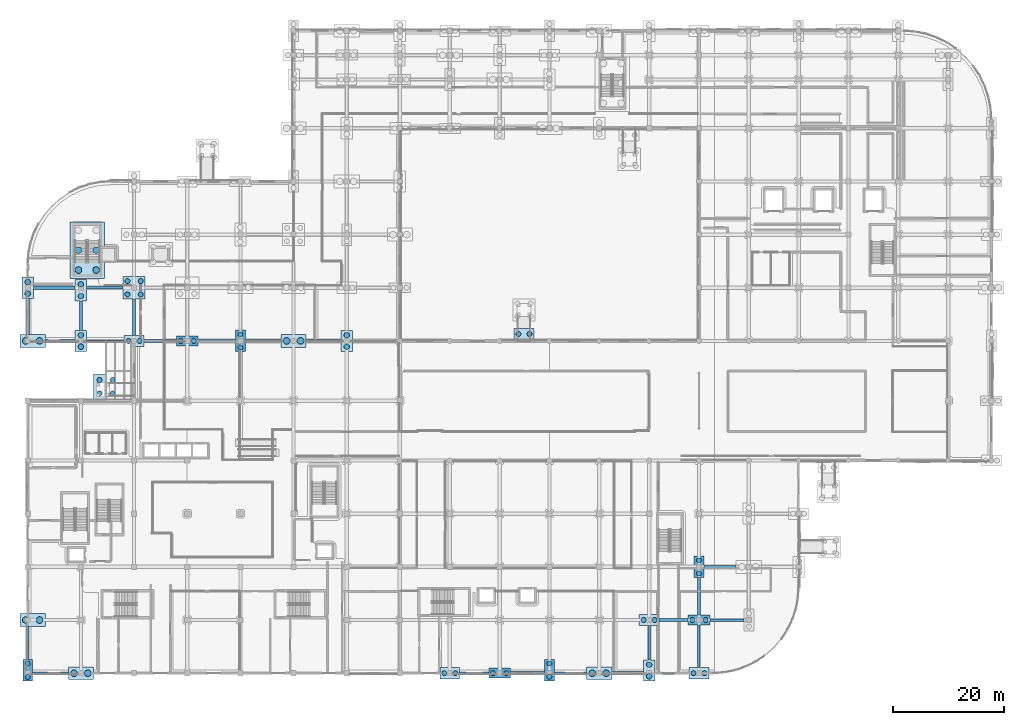
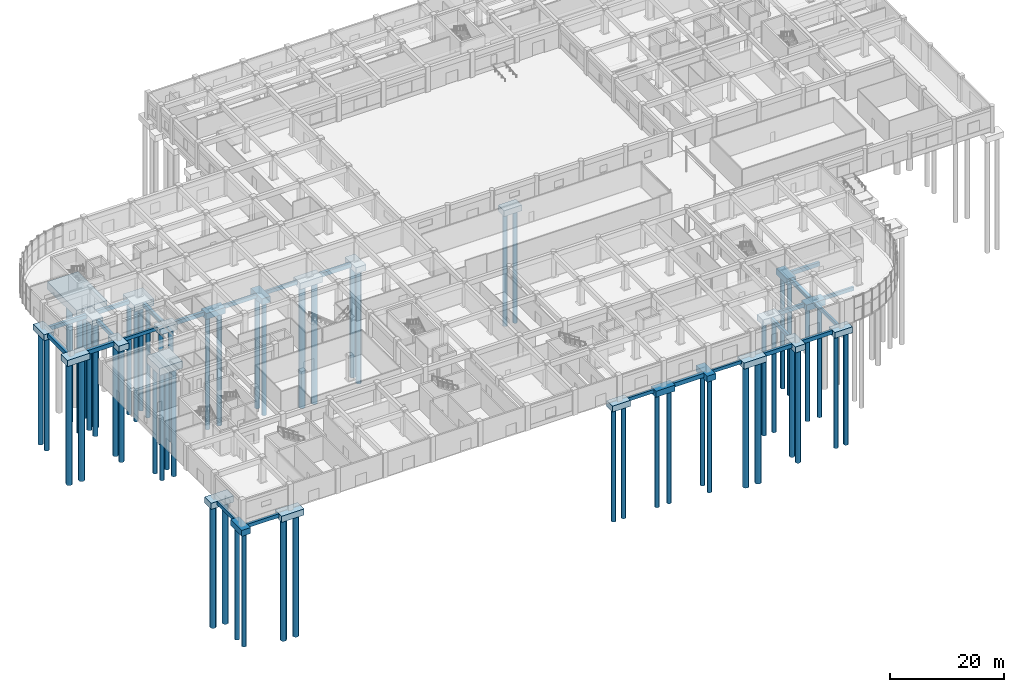
# One storey, part 1 of 74: 56 piles, 49 footings.
"""IFC4 building model written with IfcOpenShell, lengths in metres."""

import ifcopenshell
import ifcopenshell.guid

model = None  # the IFC model being written
_history = None  # IfcOwnerHistory: only IFC2X3 demands one
_inside = {}  # id of a spatial element -> (the spatial element, [elements in it])
_under = {}  # id of a project, library or spatial element -> (it, [spatial elements below it])
_declared = {}  # id of a project -> (the project, [libraries it declares])
_typed = {}  # id of a type object -> (the type object, [elements of that type])
_made_of = {}  # id of a material, layer set ... -> (it, [elements and type objects made of it])


def new_model(schema):
    """Start an empty IFC model of exactly this schema.

    Asked for "IFC4X3", IfcOpenShell would pick the latest addendum, in which some entities
    have other attributes; the version numbers below select the first issue.
    IFC2X3 requires an IfcOwnerHistory on every rooted entity: one is made here for all.
    """
    global model, _history
    if schema == "IFC4X3":
        model = ifcopenshell.file(schema_version=(4, 3, 0, 0))
    else:
        model = ifcopenshell.file(schema=schema)
    _inside.clear()
    _under.clear()
    _declared.clear()
    _typed.clear()
    _made_of.clear()
    _history = None
    if model.schema == "IFC2X3":
        org = make("IfcOrganization", Name="unknown")
        user = make(
            "IfcPersonAndOrganization",
            ThePerson=make("IfcPerson", FamilyName="unknown"),
            TheOrganization=org,
        )
        app = make(
            "IfcApplication",
            ApplicationDeveloper=org,
            Version="unknown",
            ApplicationFullName="unknown",
            ApplicationIdentifier="unknown",
        )
        _history = make(
            "IfcOwnerHistory",
            OwningUser=user,
            OwningApplication=app,
            ChangeAction="ADDED",
            CreationDate=0,
        )
    return model


def make(cls, **values):
    """One entity of the class cls with the attributes given. An attribute that is None is left unset."""
    return model.create_entity(
        cls, **{name: value for name, value in values.items() if value is not None}
    )


def rooted(cls, **values):
    """An entity with a GlobalId (a new one), such as an element, a storey or a relation."""
    return make(cls, GlobalId=ifcopenshell.guid.new(), OwnerHistory=_history, **values)


def si_unit(unit_type, name, prefix=None):
    """IfcSIUnit, for example si_unit("LENGTHUNIT", "METRE", prefix="MILLI")."""
    return make("IfcSIUnit", UnitType=unit_type, Prefix=prefix, Name=name)


def assignment(units):
    """IfcUnitAssignment: the units of a project."""
    return None if units is None else make("IfcUnitAssignment", Units=units)


def point(xyz):
    """IfcCartesianPoint."""
    return None if xyz is None else make("IfcCartesianPoint", Coordinates=xyz)


def direction(xyz):
    """IfcDirection."""
    return None if xyz is None else make("IfcDirection", DirectionRatios=xyz)


def frame(location, z_axis=None, x_axis=None):
    """IfcAxis2Placement3D, a coordinate frame: its origin and axes. An axis left out is left unset."""
    return make(
        "IfcAxis2Placement3D",
        Location=point(location),
        Axis=direction(z_axis),
        RefDirection=direction(x_axis),
    )


def frame_2d(location, x_axis=None):
    """IfcAxis2Placement2D, a coordinate frame in the plane: its origin and x axis."""
    return make(
        "IfcAxis2Placement2D", Location=point(location), RefDirection=direction(x_axis)
    )


def origin():
    """The frame at (0, 0, 0) with its axes left unset."""
    return frame((0.0, 0.0, 0.0))


def origin_2d():
    """The frame at (0, 0) in the plane with its x axis left unset."""
    return frame_2d((0.0, 0.0))


def place(relative_to, where):
    """IfcLocalPlacement: puts the frame where relative to a parent placement (None: the world)."""
    return make(
        "IfcLocalPlacement", PlacementRelTo=relative_to, RelativePlacement=where
    )


def context(
    kind, dimensions, precision=None, world=None, true_north=None, identifier=None
):
    """IfcGeometricRepresentationContext, for example the 3D "Model" context."""
    return make(
        "IfcGeometricRepresentationContext",
        ContextIdentifier=identifier,
        ContextType=kind,
        CoordinateSpaceDimension=dimensions,
        Precision=precision,
        WorldCoordinateSystem=world,
        TrueNorth=true_north,
    )


def subcontext(parent, identifier, kind, view, scale=None):
    """IfcGeometricRepresentationSubContext, for example "Body" below "Model"."""
    return make(
        "IfcGeometricRepresentationSubContext",
        ContextIdentifier=identifier,
        ContextType=kind,
        ParentContext=parent,
        TargetScale=scale,
        TargetView=view,
    )


def project(units=None, contexts=None):
    """IfcProject with its units and contexts."""
    return rooted(
        "IfcProject",
        Name="project",
        RepresentationContexts=contexts,
        UnitsInContext=assignment(units),
    )


def spatial(cls, under=None, at=None, **own):
    """A site, building, storey or space (cls), placed at a placement, below another one or the project."""
    s = rooted(cls, ObjectPlacement=at, **own)
    if under is not None:
        _under.setdefault(under.id(), (under, []))[1].append(s)
    return s


def profile(cls, at=None, kind="AREA", **sizes):
    """A parametric profile (cls). Its sizes go by their IFC names, for example OverallWidth=200.0."""
    return make(cls, ProfileType=kind, Position=at, **sizes)


def rectangle(**sizes):
    """IfcRectangleProfileDef."""
    return profile("IfcRectangleProfileDef", **sizes)


def circle(**sizes):
    """IfcCircleProfileDef."""
    return profile("IfcCircleProfileDef", **sizes)


def extrude(swept, where, along, depth):
    """IfcExtrudedAreaSolid: the profile swept, set in the frame where, extruded along a direction by depth."""
    return make(
        "IfcExtrudedAreaSolid",
        SweptArea=swept,
        Position=where,
        ExtrudedDirection=direction(along),
        Depth=depth,
    )


def shape(context_of_items, identifier, shape_type, items):
    """IfcShapeRepresentation: the items that make up one representation, for example the "Body"."""
    return make(
        "IfcShapeRepresentation",
        ContextOfItems=context_of_items,
        RepresentationIdentifier=identifier,
        RepresentationType=shape_type,
        Items=items,
    )


def material(Name=None, Category=None):
    """IfcMaterial."""
    return make("IfcMaterial", Name=Name, Category=Category)


def material_profile(
    of_material, cross_section, Name=None, Category=None, Priority=None
):
    """IfcMaterialProfile: a cross section and its material."""
    return make(
        "IfcMaterialProfile",
        Name=Name,
        Material=of_material,
        Profile=cross_section,
        Priority=Priority,
        Category=Category,
    )


def profile_set(profiles, Name=None, composite=None):
    """IfcMaterialProfileSet."""
    return make(
        "IfcMaterialProfileSet",
        Name=Name,
        MaterialProfiles=profiles,
        CompositeProfile=composite,
    )


def made_of(thing, what):
    """Note that an element or type object is made of a material, layer set ...; save() writes the relation."""
    if what is not None:
        _made_of.setdefault(what.id(), (what, []))[1].append(thing)
    return thing


def type_object(cls, material=None, **own):
    """A type object (cls), such as IfcWallType, which elements share."""
    return made_of(rooted(cls, **own), material)


def element(
    cls,
    number,
    at=None,
    inside=None,
    cuts=None,
    type_object=None,
    material=None,
    context=None,
    identifier="Body",
    shape_type=None,
    held_by="IfcProductDefinitionShape",
    body=None,
    shapes=None,
    **own,
):
    """One element of the class cls, such as IfcWall. Its Tag is "e" and its number.

    at: its placement. inside: the storey or other place that contains it. cuts: it is an
    opening in that element (IfcRelVoidsElement). A single representation is given by context,
    identifier, shape_type and body (its items); several are given by shapes. held_by: the class
    of the entity that holds the representations. save() writes the other relations.
    """
    e = rooted(cls, Tag="e%d" % number, ObjectPlacement=at, **own)
    if body is not None:
        shapes = [shape(context, identifier, shape_type, body)]
    if shapes is not None:
        e.Representation = make(held_by, Representations=shapes)
    if inside is not None:
        _inside.setdefault(inside.id(), (inside, []))[1].append(e)
    if cuts is not None:
        rooted(
            "IfcRelVoidsElement", RelatingBuildingElement=cuts, RelatedOpeningElement=e
        )
    if type_object is not None:
        _typed.setdefault(type_object.id(), (type_object, []))[1].append(e)
    return made_of(e, material)


def aggregate(whole, parts):
    """IfcRelAggregates: a whole, such as a stair, and the parts it consists of."""
    return rooted("IfcRelAggregates", RelatingObject=whole, RelatedObjects=parts)


def save(model, path):
    """Write the relations noted so far, then the file.

    IfcRelAggregates (storeys below a building ...), IfcRelContainedInSpatialStructure (elements
    in a storey), IfcRelDefinesByType, IfcRelAssociatesMaterial and IfcRelDeclares: one each for
    every whole, place, type object, material and project.
    """
    for whole, parts in _under.values():
        aggregate(whole, parts)
    for where, things in _inside.values():
        rooted(
            "IfcRelContainedInSpatialStructure",
            RelatedElements=things,
            RelatingStructure=where,
        )
    for kind, things in _typed.values():
        rooted("IfcRelDefinesByType", RelatedObjects=things, RelatingType=kind)
    for what, things in _made_of.values():
        rooted("IfcRelAssociatesMaterial", RelatedObjects=things, RelatingMaterial=what)
    for by, libraries in _declared.values():
        rooted("IfcRelDeclares", RelatingContext=by, RelatedDefinitions=libraries)
    model.write(path)


model = new_model("IFC4")

# Units and contexts
model_context = context("Model", 3, precision=1e-05, world=origin(), true_north=direction((0.0, 1.0)))
body_context = subcontext(model_context, "Body", "Model", "MODEL_VIEW")
ifc_project = project(units=[si_unit("LENGTHUNIT", "METRE"), si_unit("AREAUNIT", "SQUARE_METRE"), si_unit("VOLUMEUNIT", "CUBIC_METRE"), si_unit("PLANEANGLEUNIT", "RADIAN"), si_unit("MASSUNIT", "GRAM", prefix="KILO")], contexts=[model_context])

# Site, building, storey
site_placement = place(None, origin())
site = spatial("IfcSite", under=ifc_project, at=site_placement, CompositionType="ELEMENT")
building_placement = place(site_placement, origin())
building = spatial("IfcBuilding", under=site, at=building_placement, Name="Cendralis Terraced Arcade", CompositionType="ELEMENT")
storey_placement = place(building_placement, origin())
storey = spatial("IfcBuildingStorey", under=building, at=storey_placement, Name="L00", CompositionType="ELEMENT", Elevation=0.0)

# Footings
ifc_material = material(Name="Concrete f'c 35 MPa", Category="concrete")
ifc_material_profile_1 = material_profile(ifc_material, rectangle(XDim=0.39990234375, YDim=0.699951171875, at=origin_2d()), Name="FB-400x700", Category="LoadBearing")
ifc_profile_set_1 = profile_set([ifc_material_profile_1], Name="Concrete f'c 35 MPa")
footing_type_1 = type_object("IfcFootingType", Name="FB-400x700", PredefinedType="FOOTING_BEAM", material=ifc_profile_set_1)
footing_1_placement = place(storey_placement, frame((95.10009765625, 0.0, -0.64990234375), z_axis=(1.0, 0.0, 0.0), x_axis=(0.0, 1.0, 0.0)))
element("IfcFooting", 1, at=footing_1_placement, inside=storey, type_object=footing_type_1, Name="Reinforced Concrete Foundation Tie Beam FB-X-0009", PredefinedType="FOOTING_BEAM", context=body_context, shape_type="SweptSolid", body=[
    extrude(rectangle(XDim=0.39990234375, YDim=0.699951171875, at=origin_2d()), origin(), (0.0, 0.0, 1.0), 5.81982421875),
])
footing_2_placement = place(storey_placement, frame((10.625, 60.0, -0.64990234375), z_axis=(1.0, 0.0, 0.0), x_axis=(0.0, 1.0, 0.0)))
element("IfcFooting", 2, at=footing_2_placement, inside=storey, type_object=footing_type_1, Name="Reinforced Concrete Foundation Tie Beam FB-X-0064", PredefinedType="FOOTING_BEAM", context=body_context, shape_type="SweptSolid", body=[
    extrude(rectangle(XDim=0.39990234375, YDim=0.699951171875, at=origin_2d()), origin(), (0.0, 0.0, 1.0), 6.77490234375),
])
footing_3_placement = place(storey_placement, frame((0.0, 2.5, -0.64990234375), z_axis=(0.0, 1.0, 0.0), x_axis=(-1.0, 0.0, 0.0)))
element("IfcFooting", 3, at=footing_3_placement, inside=storey, type_object=footing_type_1, Name="Reinforced Concrete Foundation Tie Beam FB-Y-0154", PredefinedType="FOOTING_BEAM", context=body_context, shape_type="SweptSolid", body=[
    extrude(rectangle(XDim=0.39990234375, YDim=0.699951171875, at=origin_2d()), origin(), (0.0, 0.0, 1.0), 5.949951171875),
])
ifc_material_profile_2 = material_profile(ifc_material, rectangle(XDim=0.449951171875, YDim=0.75, at=origin_2d()), Name="FB-450x750", Category="LoadBearing")
ifc_profile_set_2 = profile_set([ifc_material_profile_2], Name="Concrete f'c 35 MPa")
footing_type_2 = type_object("IfcFootingType", Name="FB-450x750", PredefinedType="FOOTING_BEAM", material=ifc_profile_set_2)
footing_4_placement = place(storey_placement, frame((78.0, 0.0, -0.675048828125), z_axis=(1.0, 0.0, 0.0), x_axis=(0.0, 1.0, 0.0)))
element("IfcFooting", 4, at=footing_4_placement, inside=storey, type_object=footing_type_2, Name="Reinforced Concrete Foundation Tie Beam FB-X-0007", PredefinedType="FOOTING_BEAM", context=body_context, shape_type="SweptSolid", body=[
    extrude(rectangle(XDim=0.449951171875, YDim=0.75, at=origin_2d()), origin(), (0.0, 0.0, 1.0), 5.25),
])
footing_5_placement = place(storey_placement, frame((123.14990234375, 9.60009765625, -0.675048828125), z_axis=(1.0, 0.0, 0.0), x_axis=(0.0, 1.0, 0.0)))
element("IfcFooting", 5, at=footing_5_placement, inside=storey, type_object=footing_type_2, Name="Reinforced Concrete Foundation Tie Beam FB-X-0017", PredefinedType="FOOTING_BEAM", context=body_context, shape_type="SweptSolid", body=[
    extrude(rectangle(XDim=0.449951171875, YDim=0.75, at=origin_2d()), origin(), (0.0, 0.0, 1.0), 6.150146484375),
])
footing_6_placement = place(storey_placement, frame((39.300048828125, 60.0, -0.675048828125), z_axis=(1.0, 0.0, 0.0), x_axis=(0.0, 1.0, 0.0)))
element("IfcFooting", 6, at=footing_6_placement, inside=storey, type_object=footing_type_2, Name="Reinforced Concrete Foundation Tie Beam FB-X-0067", PredefinedType="FOOTING_BEAM", context=body_context, shape_type="SweptSolid", body=[
    extrude(rectangle(XDim=0.449951171875, YDim=0.75, at=origin_2d()), origin(), (0.0, 0.0, 1.0), 6.419921875),
])
footing_7_placement = place(storey_placement, frame((112.199951171875, 2.39990234375, -0.675048828125), z_axis=(0.0, 1.0, 0.0), x_axis=(-1.0, 0.0, 0.0)))
element("IfcFooting", 7, at=footing_7_placement, inside=storey, type_object=footing_type_2, Name="Reinforced Concrete Foundation Tie Beam FB-Y-0232", PredefinedType="FOOTING_BEAM", context=body_context, shape_type="SweptSolid", body=[
    extrude(rectangle(XDim=0.449951171875, YDim=0.75, at=origin_2d()), origin(), (0.0, 0.0, 1.0), 6.175048828125),
])
footing_8_placement = place(storey_placement, frame((121.199951171875, 1.02490234375, -0.675048828125), z_axis=(0.0, 1.0, 0.0), x_axis=(-1.0, 0.0, 0.0)))
element("IfcFooting", 8, at=footing_8_placement, inside=storey, type_object=footing_type_2, Name="Reinforced Concrete Foundation Tie Beam FB-Y-0237", PredefinedType="FOOTING_BEAM", context=body_context, shape_type="SweptSolid", body=[
    extrude(rectangle(XDim=0.449951171875, YDim=0.75, at=origin_2d()), origin(), (0.0, 0.0, 1.0), 7.675048828125),
])
ifc_material_profile_3 = material_profile(ifc_material, rectangle(XDim=0.5, YDim=0.800048828125, at=origin_2d()), Name="FB-500x800", Category="LoadBearing")
ifc_profile_set_3 = profile_set([ifc_material_profile_3], Name="Concrete f'c 35 MPa")
footing_type_3 = type_object("IfcFootingType", Name="FB-500x800", PredefinedType="FOOTING_BEAM", material=ifc_profile_set_3)
footing_9_placement = place(storey_placement, frame((0.89990234375, 0.0, -0.699951171875), z_axis=(1.0, 0.0, 0.0), x_axis=(0.0, 1.0, 0.0)))
element("IfcFooting", 9, at=footing_9_placement, inside=storey, type_object=footing_type_3, Name="Reinforced Concrete Foundation Tie Beam FB-X-0001", PredefinedType="FOOTING_BEAM", context=body_context, shape_type="SweptSolid", body=[
    extrude(rectangle(XDim=0.5, YDim=0.800048828125, at=origin_2d()), origin(), (0.0, 0.0, 1.0), 6.420166015625),
])
footing_10_placement = place(storey_placement, frame((113.22509765625, 0.0, -0.699951171875), z_axis=(1.0, 0.0, 0.0), x_axis=(0.0, 1.0, 0.0)))
element("IfcFooting", 10, at=footing_10_placement, inside=storey, type_object=footing_type_3, Name="Reinforced Concrete Foundation Tie Beam FB-X-0011", PredefinedType="FOOTING_BEAM", context=body_context, shape_type="SweptSolid", body=[
    extrude(rectangle(XDim=0.5, YDim=0.800048828125, at=origin_2d()), origin(), (0.0, 0.0, 1.0), 6.1748046875),
])
footing_11_placement = place(storey_placement, frame((114.0, 9.60009765625, -0.699951171875), z_axis=(1.0, 0.0, 0.0), x_axis=(0.0, 1.0, 0.0)))
element("IfcFooting", 11, at=footing_11_placement, inside=storey, type_object=footing_type_3, Name="Reinforced Concrete Foundation Tie Beam FB-X-0016", PredefinedType="FOOTING_BEAM", context=body_context, shape_type="SweptSolid", body=[
    extrude(rectangle(XDim=0.5, YDim=0.800048828125, at=origin_2d()), origin(), (0.0, 0.0, 1.0), 5.25),
])
footing_12_placement = place(storey_placement, frame((30.75, 60.0, -0.699951171875), z_axis=(1.0, 0.0, 0.0), x_axis=(0.0, 1.0, 0.0)))
element("IfcFooting", 12, at=footing_12_placement, inside=storey, type_object=footing_type_3, Name="Reinforced Concrete Foundation Tie Beam FB-X-0066", PredefinedType="FOOTING_BEAM", context=body_context, shape_type="SweptSolid", body=[
    extrude(rectangle(XDim=0.5, YDim=0.800048828125, at=origin_2d()), origin(), (0.0, 0.0, 1.0), 6.75),
])
footing_13_placement = place(storey_placement, frame((10.625, 69.60009765625, -0.699951171875), z_axis=(1.0, 0.0, 0.0), x_axis=(0.0, 1.0, 0.0)))
element("IfcFooting", 13, at=footing_13_placement, inside=storey, type_object=footing_type_3, Name="Reinforced Concrete Foundation Tie Beam FB-X-0081", PredefinedType="FOOTING_BEAM", context=body_context, shape_type="SweptSolid", body=[
    extrude(rectangle(XDim=0.5, YDim=0.800048828125, at=origin_2d()), origin(), (0.0, 0.0, 1.0), 6.574951171875),
])
footing_14_placement = place(storey_placement, frame((9.60009765625, 61.89990234375, -0.699951171875), z_axis=(0.0, 1.0, 0.0), x_axis=(-1.0, 0.0, 0.0)))
element("IfcFooting", 14, at=footing_14_placement, inside=storey, type_object=footing_type_3, Name="Reinforced Concrete Foundation Tie Beam FB-Y-0161", PredefinedType="FOOTING_BEAM", context=body_context, shape_type="SweptSolid", body=[
    extrude(rectangle(XDim=0.5, YDim=0.800048828125, at=origin_2d()), origin(), (0.0, 0.0, 1.0), 5.35009765625),
])
ifc_material_profile_4 = material_profile(ifc_material, rectangle(XDim=0.550048828125, YDim=0.85009765625, at=origin_2d()), Name="FB-550x850", Category="LoadBearing")
ifc_profile_set_4 = profile_set([ifc_material_profile_4], Name="Concrete f'c 35 MPa")
footing_type_4 = type_object("IfcFootingType", Name="FB-550x850", PredefinedType="FOOTING_BEAM", material=ifc_profile_set_4)
footing_15_placement = place(storey_placement, frame((105.47998046875, 0.0, -0.72509765625), z_axis=(1.0, 0.0, 0.0), x_axis=(0.0, 1.0, 0.0)))
element("IfcFooting", 15, at=footing_15_placement, inside=storey, type_object=footing_type_4, Name="Reinforced Concrete Foundation Tie Beam FB-X-0010", PredefinedType="FOOTING_BEAM", context=body_context, shape_type="SweptSolid", body=[
    extrude(rectangle(XDim=0.550048828125, YDim=0.85009765625, at=origin_2d()), origin(), (0.0, 0.0, 1.0), 5.695068359375),
])
footing_16_placement = place(storey_placement, frame((122.10009765625, 19.199951171875, -0.72509765625), z_axis=(1.0, 0.0, 0.0), x_axis=(0.0, 1.0, 0.0)))
element("IfcFooting", 16, at=footing_16_placement, inside=storey, type_object=footing_type_4, Name="Reinforced Concrete Foundation Tie Beam FB-X-0030", PredefinedType="FOOTING_BEAM", context=body_context, shape_type="SweptSolid", body=[
    extrude(rectangle(XDim=0.550048828125, YDim=0.85009765625, at=origin_2d()), origin(), (0.0, 0.0, 1.0), 5.81982421875),
])
footing_17_placement = place(storey_placement, frame((21.0, 60.0, -0.72509765625), z_axis=(1.0, 0.0, 0.0), x_axis=(0.0, 1.0, 0.0)))
element("IfcFooting", 17, at=footing_17_placement, inside=storey, type_object=footing_type_4, Name="Reinforced Concrete Foundation Tie Beam FB-X-0065", PredefinedType="FOOTING_BEAM", context=body_context, shape_type="SweptSolid", body=[
    extrude(rectangle(XDim=0.550048828125, YDim=0.85009765625, at=origin_2d()), origin(), (0.0, 0.0, 1.0), 5.85009765625),
])
footing_18_placement = place(storey_placement, frame((1.02490234375, 69.60009765625, -0.72509765625), z_axis=(1.0, 0.0, 0.0), x_axis=(0.0, 1.0, 0.0)))
element("IfcFooting", 18, at=footing_18_placement, inside=storey, type_object=footing_type_4, Name="Reinforced Concrete Foundation Tie Beam FB-X-0080", PredefinedType="FOOTING_BEAM", context=body_context, shape_type="SweptSolid", body=[
    extrude(rectangle(XDim=0.550048828125, YDim=0.85009765625, at=origin_2d()), origin(), (0.0, 0.0, 1.0), 7.550048828125),
])
footing_19_placement = place(storey_placement, frame((19.199951171875, 61.02490234375, -0.72509765625), z_axis=(0.0, 1.0, 0.0), x_axis=(-1.0, 0.0, 0.0)))
element("IfcFooting", 19, at=footing_19_placement, inside=storey, type_object=footing_type_4, Name="Reinforced Concrete Foundation Tie Beam FB-Y-0165", PredefinedType="FOOTING_BEAM", context=body_context, shape_type="SweptSolid", body=[
    extrude(rectangle(XDim=0.550048828125, YDim=0.85009765625, at=origin_2d()), origin(), (0.0, 0.0, 1.0), 6.5751953125),
])
ifc_material_profile_5 = material_profile(ifc_material, rectangle(XDim=0.60009765625, YDim=0.89990234375, at=origin_2d()), Name="FB-600x900", Category="LoadBearing")
ifc_profile_set_5 = profile_set([ifc_material_profile_5], Name="Concrete f'c 35 MPa")
footing_type_5 = type_object("IfcFootingType", Name="FB-600x900", PredefinedType="FOOTING_BEAM", material=ifc_profile_set_5)
footing_20_placement = place(storey_placement, frame((87.14990234375, 0.0, -0.75), z_axis=(1.0, 0.0, 0.0), x_axis=(0.0, 1.0, 0.0)))
element("IfcFooting", 20, at=footing_20_placement, inside=storey, type_object=footing_type_5, Name="Reinforced Concrete Foundation Tie Beam FB-X-0008", PredefinedType="FOOTING_BEAM", context=body_context, shape_type="SweptSolid", body=[
    extrude(rectangle(XDim=0.60009765625, YDim=0.89990234375, at=origin_2d()), origin(), (0.0, 0.0, 1.0), 6.150146484375),
])
footing_21_placement = place(storey_placement, frame((3.159912109375, 60.0, -0.75), z_axis=(1.0, 0.0, 0.0), x_axis=(0.0, 1.0, 0.0)))
element("IfcFooting", 21, at=footing_21_placement, inside=storey, type_object=footing_type_5, Name="Reinforced Concrete Foundation Tie Beam FB-X-0063", PredefinedType="FOOTING_BEAM", context=body_context, shape_type="SweptSolid", body=[
    extrude(rectangle(XDim=0.60009765625, YDim=0.89990234375, at=origin_2d()), origin(), (0.0, 0.0, 1.0), 5.4150390625),
])
footing_22_placement = place(storey_placement, frame((50.280029296875, 60.0, -0.75), z_axis=(1.0, 0.0, 0.0), x_axis=(0.0, 1.0, 0.0)))
element("IfcFooting", 22, at=footing_22_placement, inside=storey, type_object=footing_type_5, Name="Reinforced Concrete Foundation Tie Beam FB-X-0068", PredefinedType="FOOTING_BEAM", context=body_context, shape_type="SweptSolid", body=[
    extrude(rectangle(XDim=0.60009765625, YDim=0.89990234375, at=origin_2d()), origin(), (0.0, 0.0, 1.0), 6.294921875),
])
footing_23_placement = place(storey_placement, frame((0.0, 61.14990234375, -0.75), z_axis=(0.0, 1.0, 0.0), x_axis=(-1.0, 0.0, 0.0)))
element("IfcFooting", 23, at=footing_23_placement, inside=storey, type_object=footing_type_5, Name="Reinforced Concrete Foundation Tie Beam FB-Y-0158", PredefinedType="FOOTING_BEAM", context=body_context, shape_type="SweptSolid", body=[
    extrude(rectangle(XDim=0.60009765625, YDim=0.89990234375, at=origin_2d()), origin(), (0.0, 0.0, 1.0), 6.550048828125),
])
footing_24_placement = place(storey_placement, frame((121.199951171875, 10.5, -0.75), z_axis=(0.0, 1.0, 0.0), x_axis=(-1.0, 0.0, 0.0)))
element("IfcFooting", 24, at=footing_24_placement, inside=storey, type_object=footing_type_5, Name="Reinforced Concrete Foundation Tie Beam FB-Y-0238", PredefinedType="FOOTING_BEAM", context=body_context, shape_type="SweptSolid", body=[
    extrude(rectangle(XDim=0.60009765625, YDim=0.89990234375, at=origin_2d()), origin(), (0.0, 0.0, 1.0), 6.75),
])
footing_type_6 = type_object("IfcFootingType", Name="PC-2P-1800x3900x1300", PredefinedType="PILE_CAP", material=ifc_material)
for number, where, z_axis, x_axis, name in (
    (25, (0.0, 0.550048828125, -1.60009765625), (0.0, 0.0, 1.0), (1.0, 0.0, 0.0), "Reinforced Concrete Bored Pile Cap CAP-G1-A"),
    (26, (94.199951171875, 0.550048828125, -1.60009765625), (0.0, 0.0, 1.0), (1.0, 0.0, 0.0), "Reinforced Concrete Bored Pile Cap CAP-G11-A"),
    (27, (121.199951171875, 19.199951171875, -1.60009765625), (0.0, 0.0, 1.0), (1.0, 0.0, 0.0), "Reinforced Concrete Bored Pile Cap CAP-G14-C"),
    (28, (38.39990234375, 60.0, -1.60009765625), (0.0, 0.0, 1.0), (1.0, 0.0, 0.0), "Reinforced Concrete Bored Pile Cap CAP-G5-G"),
):
    element("IfcFooting", number, at=place(storey_placement, frame(where, z_axis=z_axis, x_axis=x_axis)), inside=storey, type_object=footing_type_6, Name=name, PredefinedType="PILE_CAP", context=body_context, shape_type="SweptSolid", body=[
        extrude(rectangle(XDim=1.800048828125, YDim=3.89990234375, at=origin_2d()), origin(), (0.0, 0.0, 1.0), 1.300048828125),
    ])
footing_type_7 = type_object("IfcFootingType", Name="PC-2P-2050x3800x1280", PredefinedType="PILE_CAP", material=ifc_material)
for number, where, z_axis, x_axis, name in (
    (29, (0.0, 69.60009765625, -1.580078125), (0.0, 0.0, 1.0), (1.0, 0.0, 0.0), "Reinforced Concrete Bored Pile Cap CAP-G1-H"),
    (30, (112.199951171875, 0.5, -1.580078125), (0.0, 0.0, 1.0), (1.0, 0.0, 0.0), "Reinforced Concrete Bored Pile Cap CAP-G13-A"),
    (31, (9.60009765625, 60.0, -1.580078125), (0.0, 0.0, 1.0), (1.0, 0.0, 0.0), "Reinforced Concrete Bored Pile Cap CAP-G2-G"),
    (32, (9.60009765625, 69.14990234375, -1.580078125), (0.0, 0.0, 1.0), (1.0, 0.0, 0.0), "Reinforced Concrete Bored Pile Cap CAP-G2-H"),
    (33, (57.60009765625, 60.0, -1.580078125), (0.0, 0.0, 1.0), (1.0, 0.0, 0.0), "Reinforced Concrete Bored Pile Cap CAP-G7-G"),
):
    element("IfcFooting", number, at=place(storey_placement, frame(where, z_axis=z_axis, x_axis=x_axis)), inside=storey, type_object=footing_type_7, Name=name, PredefinedType="PILE_CAP", context=body_context, shape_type="SweptSolid", body=[
        extrude(rectangle(XDim=2.050048828125, YDim=3.800048828125, at=origin_2d()), origin(), (0.0, 0.0, 1.0), 1.280029296875),
    ])
footing_type_8 = type_object("IfcFootingType", Name="PC-2P-3600x2050x1260", PredefinedType="PILE_CAP", material=ifc_material)
for number, where, z_axis, x_axis, name in (
    (34, (112.199951171875, 9.60009765625, -1.56005859375), (0.0, 0.0, 1.0), (1.0, 0.0, 0.0), "Reinforced Concrete Bored Pile Cap CAP-G13-B"),
    (35, (121.199951171875, 0.0, -1.56005859375), (0.0, 0.0, 1.0), (1.0, 0.0, 0.0), "Reinforced Concrete Bored Pile Cap CAP-G14-A"),
    (36, (19.199951171875, 60.0, -1.56005859375), (0.0, 0.0, 1.0), (1.0, 0.0, 0.0), "Reinforced Concrete Bored Pile Cap CAP-G3-G"),
    (37, (76.199951171875, 0.0, -1.56005859375), (0.0, 0.0, 1.0), (1.0, 0.0, 0.0), "Reinforced Concrete Bored Pile Cap CAP-G9-A"),
    (38, (89.60009765625, 61.25, -1.580078125), (0.0, 0.0, 1.0), (1.0, 0.0, 0.0), "Reinforced Concrete Bored Pile Cap CAP-RMF-RMP-04"),
):
    element("IfcFooting", number, at=place(storey_placement, frame(where, z_axis=z_axis, x_axis=x_axis)), inside=storey, type_object=footing_type_8, Name=name, PredefinedType="PILE_CAP", context=body_context, shape_type="SweptSolid", body=[
        extrude(rectangle(XDim=3.60009765625, YDim=2.050048828125, at=origin_2d()), origin(), (0.0, 0.0, 1.0), 1.260009765625),
    ])
footing_type_9 = type_object("IfcFootingType", Name="PC-2P-3900x1800x1300", PredefinedType="PILE_CAP", material=ifc_material)
for number, where, z_axis, x_axis, name in (
    (39, (85.199951171875, 0.0, -1.60009765625), (0.0, 0.0, 1.0), (1.0, 0.0, 0.0), "Reinforced Concrete Bored Pile Cap CAP-G10-A"),
    (40, (121.199951171875, 9.60009765625, -1.60009765625), (0.0, 0.0, 1.0), (1.0, 0.0, 0.0), "Reinforced Concrete Bored Pile Cap CAP-G14-B"),
    (41, (28.800048828125, 60.0, -1.60009765625), (0.0, 0.0, 1.0), (1.0, 0.0, 0.0), "Reinforced Concrete Bored Pile Cap CAP-G4-G"),
):
    element("IfcFooting", number, at=place(storey_placement, frame(where, z_axis=z_axis, x_axis=x_axis)), inside=storey, type_object=footing_type_9, Name=name, PredefinedType="PILE_CAP", context=body_context, shape_type="SweptSolid", body=[
        extrude(rectangle(XDim=3.89990234375, YDim=1.800048828125, at=origin_2d()), origin(), (0.0, 0.0, 1.0), 1.300048828125),
    ])
footing_type_10 = type_object("IfcFootingType", Name="PC-2P-4560x2300x1320", PredefinedType="PILE_CAP", material=ifc_material)
for number, where, z_axis, x_axis, name in (
    (42, (0.8798828125, 9.60009765625, -1.6201171875), (0.0, 0.0, 1.0), (1.0, 0.0, 0.0), "Reinforced Concrete Bored Pile Cap CAP-G1-B"),
    (43, (0.8798828125, 60.0, -1.6201171875), (0.0, 0.0, 1.0), (1.0, 0.0, 0.0), "Reinforced Concrete Bored Pile Cap CAP-G1-G"),
    (44, (103.199951171875, 0.0, -1.6201171875), (0.0, 0.0, 1.0), (1.0, 0.0, 0.0), "Reinforced Concrete Bored Pile Cap CAP-G12-A"),
    (45, (9.60009765625, 0.0, -1.6201171875), (0.0, 0.0, 1.0), (1.0, 0.0, 0.0), "Reinforced Concrete Bored Pile Cap CAP-G2-A"),
    (46, (48.0, 60.0, -1.6201171875), (0.0, 0.0, 1.0), (1.0, 0.0, 0.0), "Reinforced Concrete Bored Pile Cap CAP-G6-G"),
):
    element("IfcFooting", number, at=place(storey_placement, frame(where, z_axis=z_axis, x_axis=x_axis)), inside=storey, type_object=footing_type_10, Name=name, PredefinedType="PILE_CAP", context=body_context, shape_type="SweptSolid", body=[
        extrude(rectangle(XDim=4.56005859375, YDim=2.300048828125, at=origin_2d()), origin(), (0.0, 0.0, 1.0), 1.320068359375),
    ])
footing_type_11 = type_object("IfcFootingType", Name="PC-4P-4000x4000x1450", PredefinedType="PILE_CAP", material=ifc_material)
footing_25_placement = place(storey_placement, frame((19.199951171875, 69.60009765625, -1.75), z_axis=(0.0, 0.0, 1.0), x_axis=(1.0, 0.0, 0.0)))
element("IfcFooting", 47, at=footing_25_placement, inside=storey, type_object=footing_type_11, Name="Reinforced Concrete Bored Pile Cap CAP-G3-H", PredefinedType="PILE_CAP", context=body_context, shape_type="SweptSolid", body=[
    extrude(rectangle(XDim=4.0, YDim=4.0, at=origin_2d()), origin(), (0.0, 0.0, 1.0), 1.449951171875),
])
footing_type_12 = type_object("IfcFootingType", Name="PC-4P-4600x4600x1520", PredefinedType="PILE_CAP", material=ifc_material)
footing_26_placement = place(storey_placement, frame((14.14990234375, 51.75, -2.469970703125), z_axis=(0.0, 0.0, 1.0), x_axis=(1.0, 0.0, 0.0)))
element("IfcFooting", 48, at=footing_26_placement, inside=storey, type_object=footing_type_12, Name="Reinforced Concrete Bored Pile Cap CAP-RMP-01", PredefinedType="PILE_CAP", context=body_context, shape_type="SweptSolid", body=[
    extrude(rectangle(XDim=4.60009765625, YDim=4.60009765625, at=origin_2d()), origin(), (0.0, 0.0, 1.0), 1.52001953125),
])
footing_type_13 = type_object("IfcFootingType", Name="PC-CORE-6200x10200x1600", PredefinedType="PILE_CAP", material=ifc_material)
footing_27_placement = place(storey_placement, frame((10.75, 76.39990234375, -1.900146484375), z_axis=(0.0, 0.0, 1.0), x_axis=(1.0, 0.0, 0.0)))
element("IfcFooting", 49, at=footing_27_placement, inside=storey, type_object=footing_type_13, Name="Reinforced Concrete Bored Pile Cap CAP-ST-07", PredefinedType="PILE_CAP", context=body_context, shape_type="SweptSolid", body=[
    extrude(rectangle(XDim=6.199951171875, YDim=10.199951171875, at=origin_2d()), origin(), (0.0, 0.0, 1.0), 1.60009765625),
])

# Piles
ifc_material_profile_6 = material_profile(ifc_material, circle(Radius=0.5, at=origin_2d()), Name="PILE-D1000", Category="LoadBearing")
ifc_profile_set_6 = profile_set([ifc_material_profile_6], Name="Concrete f'c 35 MPa")
pile_type_1 = type_object("IfcPileType", Name="PILE-1000", PredefinedType="BORED", material=ifc_profile_set_6)
for number, where, z_axis, x_axis, name in (
    (50, (0.0, 68.550048828125, -1.47998046875), (0.0, 0.0, -1.0), (1.0, 0.0, 0.0), "Bored Concrete Pile PILE-C-CAP-G1-H-1-0_-105"),
    (51, (0.0, 70.64990234375, -1.47998046875), (0.0, 0.0, -1.0), (1.0, 0.0, 0.0), "Bored Concrete Pile PILE-B-CAP-G1-H-1"),
    (52, (112.199951171875, -0.550048828125, -1.47998046875), (0.0, 0.0, -1.0), (1.0, 0.0, 0.0), "Bored Concrete Pile PILE-C-CAP-G13-A-1-0_-105"),
    (53, (112.199951171875, 1.550048828125, -1.47998046875), (0.0, 0.0, -1.0), (1.0, 0.0, 0.0), "Bored Concrete Pile PILE-B-CAP-G13-A-1"),
    (54, (9.60009765625, 58.949951171875, -1.47998046875), (0.0, 0.0, -1.0), (1.0, 0.0, 0.0), "Bored Concrete Pile PILE-C-CAP-G2-G-1-0_-105"),
    (55, (9.60009765625, 61.050048828125, -1.47998046875), (0.0, 0.0, -1.0), (1.0, 0.0, 0.0), "Bored Concrete Pile PILE-B-CAP-G2-G-1"),
    (56, (9.60009765625, 68.10009765625, -1.47998046875), (0.0, 0.0, -1.0), (1.0, 0.0, 0.0), "Bored Concrete Pile PILE-C-CAP-G2-H-1-0_-105"),
    (57, (9.60009765625, 70.199951171875, -1.47998046875), (0.0, 0.0, -1.0), (1.0, 0.0, 0.0), "Bored Concrete Pile PILE-B-CAP-G2-H-1"),
    (58, (57.60009765625, 58.949951171875, -1.47998046875), (0.0, 0.0, -1.0), (1.0, 0.0, 0.0), "Bored Concrete Pile PILE-C-CAP-G7-G-1-0_-105"),
    (59, (57.60009765625, 61.050048828125, -1.47998046875), (0.0, 0.0, -1.0), (1.0, 0.0, 0.0), "Bored Concrete Pile PILE-B-CAP-G7-G-1"),
):
    element("IfcPile", number, at=place(storey_placement, frame(where, z_axis=z_axis, x_axis=x_axis)), inside=storey, type_object=pile_type_1, Name=name, PredefinedType="BORED", context=body_context, shape_type="SweptSolid", body=[
        extrude(circle(Radius=0.5, at=origin_2d()), origin(), (0.0, 0.0, 1.0), 24.219970703125),
    ])
ifc_material_profile_7 = material_profile(ifc_material, circle(Radius=0.60009765625, at=origin_2d()), Name="PILE-D1200", Category="LoadBearing")
ifc_profile_set_7 = profile_set([ifc_material_profile_7], Name="Concrete f'c 35 MPa")
pile_type_2 = type_object("IfcPileType", Name="PILE-1200", PredefinedType="BORED", material=ifc_profile_set_7)
for number, where, z_axis, x_axis, name in (
    (60, (9.14990234375, 72.800048828125, -1.800048828125), (0.0, 0.0, -1.0), (1.0, 0.0, 0.0), "Bored Concrete Pile PILE-C-CAP-ST-07-6--160_-360"),
    (61, (12.35009765625, 72.800048828125, -1.800048828125), (0.0, 0.0, -1.0), (1.0, 0.0, 0.0), "Bored Concrete Pile PILE-C-CAP-ST-07-6-160_-360"),
    (62, (9.14990234375, 76.39990234375, -1.800048828125), (0.0, 0.0, -1.0), (1.0, 0.0, 0.0), "Bored Concrete Pile PILE-C-CAP-ST-07-6--160_0"),
    (63, (12.35009765625, 76.39990234375, -1.800048828125), (0.0, 0.0, -1.0), (1.0, 0.0, 0.0), "Bored Concrete Pile PILE-C-CAP-ST-07-6-160_0"),
):
    element("IfcPile", number, at=place(storey_placement, frame(where, z_axis=z_axis, x_axis=x_axis)), inside=storey, type_object=pile_type_2, Name=name, PredefinedType="BORED", context=body_context, shape_type="SweptSolid", body=[
        extrude(circle(Radius=0.60009765625, at=origin_2d()), origin(), (0.0, 0.0, 1.0), 25.89990234375),
    ])
for number, where, z_axis, x_axis, name in (
    (64, (-0.3701171875, 9.60009765625, -1.52001953125), (0.0, 0.0, -1.0), (1.0, 0.0, 0.0), "Bored Concrete Pile PILE-C-CAP-G1-B-1--125_0"),
    (65, (2.1298828125, 9.60009765625, -1.52001953125), (0.0, 0.0, -1.0), (1.0, 0.0, 0.0), "Bored Concrete Pile PILE-B-CAP-G1-B-1"),
    (66, (-0.3701171875, 60.0, -1.52001953125), (0.0, 0.0, -1.0), (1.0, 0.0, 0.0), "Bored Concrete Pile PILE-C-CAP-G1-G-1--125_0"),
    (67, (2.1298828125, 60.0, -1.52001953125), (0.0, 0.0, -1.0), (1.0, 0.0, 0.0), "Bored Concrete Pile PILE-B-CAP-G1-G-1"),
    (68, (101.949951171875, 0.0, -1.52001953125), (0.0, 0.0, -1.0), (1.0, 0.0, 0.0), "Bored Concrete Pile PILE-C-CAP-G12-A-1--125_0"),
    (69, (104.449951171875, 0.0, -1.52001953125), (0.0, 0.0, -1.0), (1.0, 0.0, 0.0), "Bored Concrete Pile PILE-B-CAP-G12-A-1"),
    (70, (8.35009765625, 0.0, -1.52001953125), (0.0, 0.0, -1.0), (1.0, 0.0, 0.0), "Bored Concrete Pile PILE-C-CAP-G2-A-1--125_0"),
    (71, (10.85009765625, 0.0, -1.52001953125), (0.0, 0.0, -1.0), (1.0, 0.0, 0.0), "Bored Concrete Pile PILE-B-CAP-G2-A-1"),
    (72, (46.75, 60.0, -1.52001953125), (0.0, 0.0, -1.0), (1.0, 0.0, 0.0), "Bored Concrete Pile PILE-C-CAP-G6-G-1--125_0"),
    (73, (49.25, 60.0, -1.52001953125), (0.0, 0.0, -1.0), (1.0, 0.0, 0.0), "Bored Concrete Pile PILE-B-CAP-G6-G-1"),
):
    element("IfcPile", number, at=place(storey_placement, frame(where, z_axis=z_axis, x_axis=x_axis)), inside=storey, type_object=pile_type_2, Name=name, PredefinedType="BORED", context=body_context, shape_type="SweptSolid", body=[
        extrude(circle(Radius=0.60009765625, at=origin_2d()), origin(), (0.0, 0.0, 1.0), 26.179931640625),
    ])
ifc_material_profile_8 = material_profile(ifc_material, circle(Radius=0.449951171875, at=origin_2d()), Name="PILE-D900", Category="LoadBearing")
ifc_profile_set_8 = profile_set([ifc_material_profile_8], Name="Concrete f'c 35 MPa")
pile_type_3 = type_object("IfcPileType", Name="PILE-900", PredefinedType="BORED", material=ifc_profile_set_8)
for number, where, z_axis, x_axis, name in (
    (74, (0.0, -0.64990234375, -1.5), (0.0, 0.0, -1.0), (1.0, 0.0, 0.0), "Bored Concrete Pile PILE-C-CAP-G1-A-2-0_-120"),
    (75, (0.0, 1.75, -1.5), (0.0, 0.0, -1.0), (1.0, 0.0, 0.0), "Bored Concrete Pile PILE-C-CAP-G1-A-2-0_120"),
    (76, (84.0, 0.0, -1.5), (0.0, 0.0, -1.0), (1.0, 0.0, 0.0), "Bored Concrete Pile PILE-C-CAP-G10-A-2--120_0"),
    (77, (86.39990234375, 0.0, -1.5), (0.0, 0.0, -1.0), (1.0, 0.0, 0.0), "Bored Concrete Pile PILE-C-CAP-G10-A-2-120_0"),
    (78, (94.199951171875, -0.64990234375, -1.5), (0.0, 0.0, -1.0), (1.0, 0.0, 0.0), "Bored Concrete Pile PILE-C-CAP-G11-A-2-0_-120"),
    (79, (94.199951171875, 1.75, -1.5), (0.0, 0.0, -1.0), (1.0, 0.0, 0.0), "Bored Concrete Pile PILE-C-CAP-G11-A-2-0_120"),
):
    element("IfcPile", number, at=place(storey_placement, frame(where, z_axis=z_axis, x_axis=x_axis)), inside=storey, type_object=pile_type_3, Name=name, PredefinedType="BORED", context=body_context, shape_type="SweptSolid", body=[
        extrude(circle(Radius=0.449951171875, at=origin_2d()), origin(), (0.0, 0.0, 1.0), 24.199951171875),
    ])
for number, where, z_axis, x_axis, name in (
    (80, (111.199951171875, 9.60009765625, -1.4599609375), (0.0, 0.0, -1.0), (1.0, 0.0, 0.0), "Bored Concrete Pile PILE-C-CAP-G13-B-1--100_0"),
    (81, (113.199951171875, 9.60009765625, -1.4599609375), (0.0, 0.0, -1.0), (1.0, 0.0, 0.0), "Bored Concrete Pile PILE-B-CAP-G13-B-1"),
    (82, (120.199951171875, 0.0, -1.4599609375), (0.0, 0.0, -1.0), (1.0, 0.0, 0.0), "Bored Concrete Pile PILE-C-CAP-G14-A-1--100_0"),
    (83, (122.199951171875, 0.0, -1.4599609375), (0.0, 0.0, -1.0), (1.0, 0.0, 0.0), "Bored Concrete Pile PILE-B-CAP-G14-A-1"),
):
    element("IfcPile", number, at=place(storey_placement, frame(where, z_axis=z_axis, x_axis=x_axis)), inside=storey, type_object=pile_type_3, Name=name, PredefinedType="BORED", context=body_context, shape_type="SweptSolid", body=[
        extrude(circle(Radius=0.449951171875, at=origin_2d()), origin(), (0.0, 0.0, 1.0), 24.239990234375),
    ])
for number, where, z_axis, x_axis, name in (
    (84, (120.0, 9.60009765625, -1.5), (0.0, 0.0, -1.0), (1.0, 0.0, 0.0), "Bored Concrete Pile PILE-C-CAP-G14-B-2--120_0"),
    (85, (122.39990234375, 9.60009765625, -1.5), (0.0, 0.0, -1.0), (1.0, 0.0, 0.0), "Bored Concrete Pile PILE-C-CAP-G14-B-2-120_0"),
    (86, (121.199951171875, 18.0, -1.5), (0.0, 0.0, -1.0), (1.0, 0.0, 0.0), "Bored Concrete Pile PILE-C-CAP-G14-C-2-0_-120"),
    (87, (121.199951171875, 20.39990234375, -1.5), (0.0, 0.0, -1.0), (1.0, 0.0, 0.0), "Bored Concrete Pile PILE-C-CAP-G14-C-2-0_120"),
):
    element("IfcPile", number, at=place(storey_placement, frame(where, z_axis=z_axis, x_axis=x_axis)), inside=storey, type_object=pile_type_3, Name=name, PredefinedType="BORED", context=body_context, shape_type="SweptSolid", body=[
        extrude(circle(Radius=0.449951171875, at=origin_2d()), origin(), (0.0, 0.0, 1.0), 24.199951171875),
    ])
for number, where, z_axis, x_axis, name in (
    (88, (18.199951171875, 60.0, -1.4599609375), (0.0, 0.0, -1.0), (1.0, 0.0, 0.0), "Bored Concrete Pile PILE-C-CAP-G3-G-1--100_0"),
    (89, (20.199951171875, 60.0, -1.4599609375), (0.0, 0.0, -1.0), (1.0, 0.0, 0.0), "Bored Concrete Pile PILE-B-CAP-G3-G-1"),
):
    element("IfcPile", number, at=place(storey_placement, frame(where, z_axis=z_axis, x_axis=x_axis)), inside=storey, type_object=pile_type_3, Name=name, PredefinedType="BORED", context=body_context, shape_type="SweptSolid", body=[
        extrude(circle(Radius=0.449951171875, at=origin_2d()), origin(), (0.0, 0.0, 1.0), 24.239990234375),
    ])
for number, where, z_axis, x_axis, name in (
    (90, (18.0, 68.39990234375, -1.64990234375), (0.0, 0.0, -1.0), (1.0, 0.0, 0.0), "Bored Concrete Pile PILE-C-CAP-G3-H-4--120_-120"),
    (91, (20.39990234375, 68.39990234375, -1.64990234375), (0.0, 0.0, -1.0), (1.0, 0.0, 0.0), "Bored Concrete Pile PILE-C-CAP-G3-H-4-120_-120"),
    (92, (18.0, 70.800048828125, -1.64990234375), (0.0, 0.0, -1.0), (1.0, 0.0, 0.0), "Bored Concrete Pile PILE-C-CAP-G3-H-4--120_120"),
    (93, (20.39990234375, 70.800048828125, -1.64990234375), (0.0, 0.0, -1.0), (1.0, 0.0, 0.0), "Bored Concrete Pile PILE-C-CAP-G3-H-4-120_120"),
):
    element("IfcPile", number, at=place(storey_placement, frame(where, z_axis=z_axis, x_axis=x_axis)), inside=storey, type_object=pile_type_3, Name=name, PredefinedType="BORED", context=body_context, shape_type="SweptSolid", body=[
        extrude(circle(Radius=0.449951171875, at=origin_2d()), origin(), (0.0, 0.0, 1.0), 24.050048828125),
    ])
for number, where, z_axis, x_axis, name in (
    (94, (27.60009765625, 60.0, -1.5), (0.0, 0.0, -1.0), (1.0, 0.0, 0.0), "Bored Concrete Pile PILE-C-CAP-G4-G-2--120_0"),
    (95, (30.0, 60.0, -1.5), (0.0, 0.0, -1.0), (1.0, 0.0, 0.0), "Bored Concrete Pile PILE-C-CAP-G4-G-2-120_0"),
    (96, (38.39990234375, 58.800048828125, -1.5), (0.0, 0.0, -1.0), (1.0, 0.0, 0.0), "Bored Concrete Pile PILE-C-CAP-G5-G-2-0_-120"),
    (97, (38.39990234375, 61.199951171875, -1.5), (0.0, 0.0, -1.0), (1.0, 0.0, 0.0), "Bored Concrete Pile PILE-C-CAP-G5-G-2-0_120"),
):
    element("IfcPile", number, at=place(storey_placement, frame(where, z_axis=z_axis, x_axis=x_axis)), inside=storey, type_object=pile_type_3, Name=name, PredefinedType="BORED", context=body_context, shape_type="SweptSolid", body=[
        extrude(circle(Radius=0.449951171875, at=origin_2d()), origin(), (0.0, 0.0, 1.0), 24.199951171875),
    ])
for number, where, z_axis, x_axis, name in (
    (98, (75.199951171875, 0.0, -1.4599609375), (0.0, 0.0, -1.0), (1.0, 0.0, 0.0), "Bored Concrete Pile PILE-C-CAP-G9-A-1--100_0"),
    (99, (77.199951171875, 0.0, -1.4599609375), (0.0, 0.0, -1.0), (1.0, 0.0, 0.0), "Bored Concrete Pile PILE-B-CAP-G9-A-1"),
):
    element("IfcPile", number, at=place(storey_placement, frame(where, z_axis=z_axis, x_axis=x_axis)), inside=storey, type_object=pile_type_3, Name=name, PredefinedType="BORED", context=body_context, shape_type="SweptSolid", body=[
        extrude(circle(Radius=0.449951171875, at=origin_2d()), origin(), (0.0, 0.0, 1.0), 24.239990234375),
    ])
for number, where, z_axis, x_axis, name in (
    (100, (12.949951171875, 50.550048828125, -2.3701171875), (0.0, 0.0, -1.0), (1.0, 0.0, 0.0), "Bored Concrete Pile PILE-C-CAP-RMP-01-1--120_-120"),
    (101, (15.35009765625, 50.550048828125, -2.3701171875), (0.0, 0.0, -1.0), (1.0, 0.0, 0.0), "Bored Concrete Pile PILE-B-CAP-RMP-01-1"),
    (102, (12.949951171875, 52.949951171875, -2.3701171875), (0.0, 0.0, -1.0), (1.0, 0.0, 0.0), "Bored Concrete Pile PILE-B-CAP-RMP-01-2"),
    (103, (15.35009765625, 52.949951171875, -2.3701171875), (0.0, 0.0, -1.0), (1.0, 0.0, 0.0), "Bored Concrete Pile PILE-B-CAP-RMP-01-3"),
):
    element("IfcPile", number, at=place(storey_placement, frame(where, z_axis=z_axis, x_axis=x_axis)), inside=storey, type_object=pile_type_3, Name=name, PredefinedType="BORED", context=body_context, shape_type="SweptSolid", body=[
        extrude(circle(Radius=0.449951171875, at=origin_2d()), origin(), (0.0, 0.0, 1.0), 23.330078125),
    ])
for number, where, z_axis, x_axis, name in (
    (104, (88.60009765625, 61.25, -1.47998046875), (0.0, 0.0, -1.0), (1.0, 0.0, 0.0), "Bored Concrete Pile PILE-C-CAP-RMF-RMP-04-1--100_0"),
    (105, (90.60009765625, 61.25, -1.47998046875), (0.0, 0.0, -1.0), (1.0, 0.0, 0.0), "Bored Concrete Pile PILE-B-CAP-RMF-RMP-04-1"),
):
    element("IfcPile", number, at=place(storey_placement, frame(where, z_axis=z_axis, x_axis=x_axis)), inside=storey, type_object=pile_type_3, Name=name, PredefinedType="BORED", context=body_context, shape_type="SweptSolid", body=[
        extrude(circle(Radius=0.449951171875, at=origin_2d()), origin(), (0.0, 0.0, 1.0), 24.219970703125),
    ])

save(model, "model.ifc")
